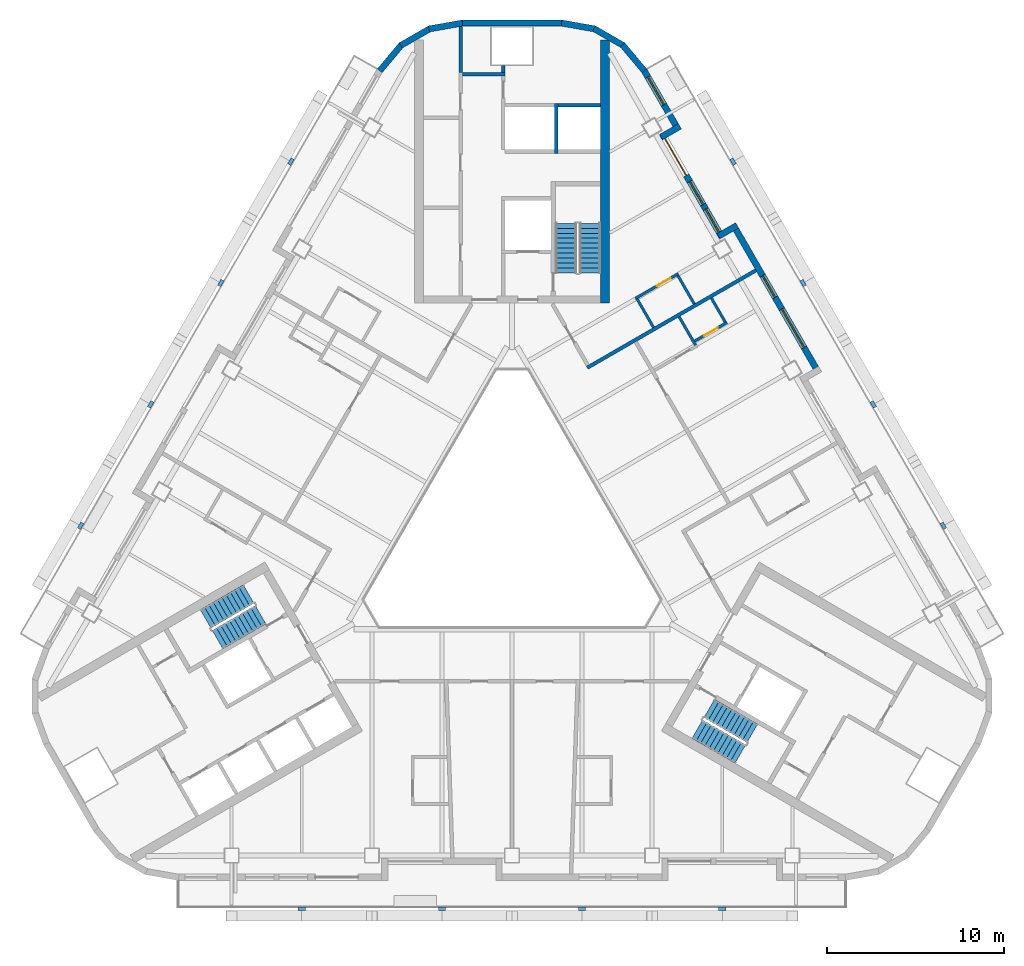
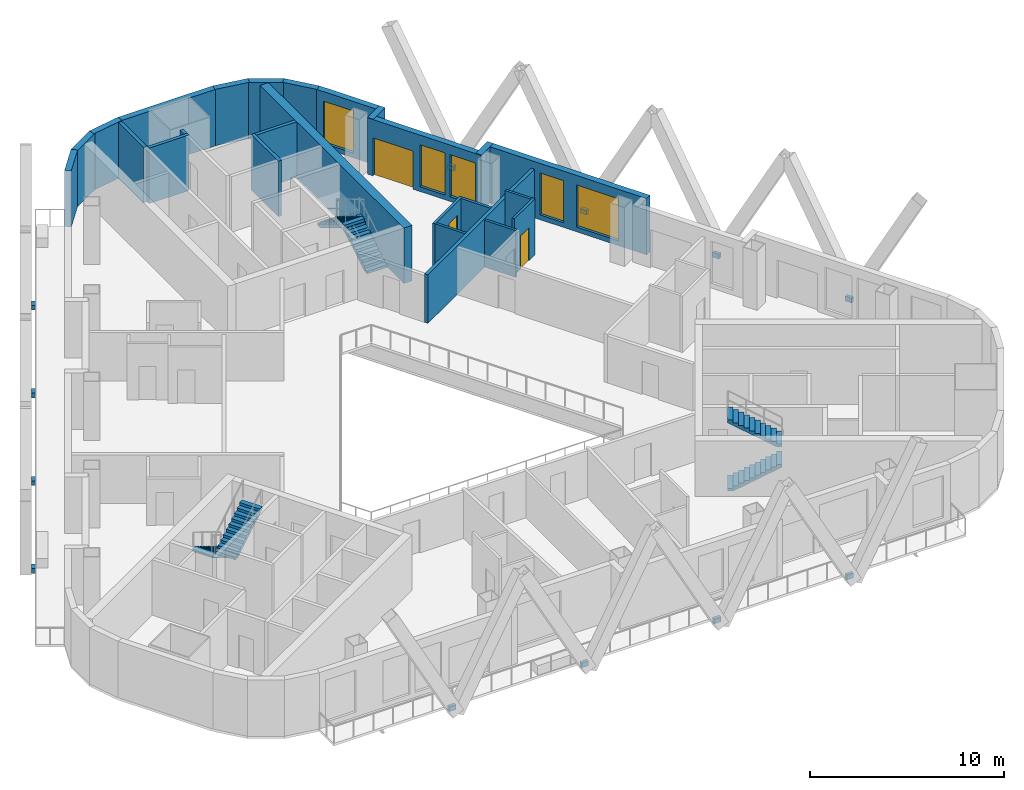
# One storey, part 7 of 13: 25 walls, 12 discrete accessories, 6 stair flights, 5 windows, 3 doors, 8 openings, 3 elements without a shape of their own.
"""IFC4 building model written with IfcOpenShell, lengths in metres."""

from ifc_helpers import new_model, si_unit, direction, frame, frame_2d, origin, origin_2d, place, context, subcontext, project, spatial, polyline, rectangle, outline, extrude, material, layer, layer_set, type_object, element, fill, aggregate, save


model = new_model("IFC4")

# Units and contexts
model_context = context("Model", 3, precision=1e-05, world=origin(), true_north=direction((0.0, 1.0)))
body_context = subcontext(model_context, "Body", "Model", "MODEL_VIEW")
ifc_project = project(units=[si_unit("LENGTHUNIT", "METRE"), si_unit("AREAUNIT", "SQUARE_METRE"), si_unit("VOLUMEUNIT", "CUBIC_METRE"), si_unit("PLANEANGLEUNIT", "RADIAN"), si_unit("MASSUNIT", "GRAM", prefix="KILO")], contexts=[model_context])

# Site, building, storey
site_placement = place(None, origin())
site = spatial("IfcSite", under=ifc_project, at=site_placement, CompositionType="ELEMENT")
building_placement = place(site_placement, origin())
building = spatial("IfcBuilding", under=site, at=building_placement, Name="Apuvela Tower Hotel", CompositionType="ELEMENT")
storey_placement = place(building_placement, frame((0.0, 0.0, 183.60009765625)))
storey = spatial("IfcBuildingStorey", under=building, at=storey_placement, Name="L44", CompositionType="ELEMENT", Elevation=183.60009765625)

# Walls
ifc_material_1 = material(Name="Concrete C50/60", Category="concrete")
ifc_layer_1 = layer(ifc_material_1, 0.5)
ifc_layer_set_1 = layer_set([ifc_layer_1], Name="COR-WALL-CORE-500")
wall_type_1 = type_object("IfcWallType", Name="COR-WALL-CORE-500", PredefinedType="SHEAR", material=ifc_layer_set_1)
wall_1_placement = place(storey_placement, frame((5.25, 12.89990234375, 0.0), z_axis=(0.0, 0.0, 1.0), x_axis=(0.0, 1.0, 0.0)))
element("IfcWall", 1, at=wall_1_placement, inside=storey, type_object=wall_type_1, Name="Core wall N", PredefinedType="SHEAR", context=body_context, shape_type="SweptSolid", body=[
    extrude(rectangle(XDim=14.8369140625, YDim=0.5, at=frame_2d((7.41845703125, 0.0))), origin(), (0.0, 0.0, 1.0), 3.5),
])
ifc_layer_2 = layer(ifc_material_1, 0.199951171875)
ifc_layer_set_2 = layer_set([ifc_layer_2], Name="COR-WALL-SHAFT-200")
wall_type_2 = type_object("IfcWallType", Name="COR-WALL-SHAFT-200", PredefinedType="SHEAR", material=ifc_layer_set_2)
wall_2_placement = place(storey_placement, frame((-0.39990234375, 25.800048828125, 0.0), z_axis=(0.0, 0.0, 1.0), x_axis=(-1.0, 0.0, 0.0)))
element("IfcWall", 2, at=wall_2_placement, inside=storey, type_object=wall_type_2, Name="Shaft wall N", PredefinedType="SHEAR", context=body_context, shape_type="SweptSolid", body=[
    extrude(rectangle(XDim=2.400146484375, YDim=0.199951171875, at=frame_2d((1.2001953125, 0.0))), origin(), (0.0, 0.0, 1.0), 3.5),
])
wall_3_placement = place(storey_placement, frame((-0.5, 25.89990234375, 0.0), z_axis=(0.0, 0.0, 1.0), x_axis=(0.0, 1.0, 0.0)))
element("IfcWall", 3, at=wall_3_placement, inside=storey, type_object=wall_type_2, Name="Shaft wall N", PredefinedType="SHEAR", context=body_context, shape_type="SweptSolid", body=[
    extrude(rectangle(XDim=0.400146484375, YDim=0.199951171875, at=frame_2d((0.2001953125, 0.0))), origin(), (0.0, 0.0, 1.0), 3.5),
])
wall_4_placement = place(storey_placement, frame((-2.89990234375, 25.89990234375, 0.0), z_axis=(0.0, 0.0, 1.0), x_axis=(0.0, 1.0, 0.0)))
element("IfcWall", 4, at=wall_4_placement, inside=storey, type_object=wall_type_2, Name="Shaft wall N", PredefinedType="SHEAR", context=body_context, shape_type="SweptSolid", body=[
    extrude(rectangle(XDim=2.60009765625, YDim=0.199951171875, at=frame_2d((1.300048828125, 0.0))), origin(), (0.0, 0.0, 1.0), 3.5),
])
wall_5_placement = place(storey_placement, frame((2.5, 21.35009765625, 0.0), z_axis=(0.0, 0.0, 1.0), x_axis=(0.0, 1.0, 0.0)))
element("IfcWall", 5, at=wall_5_placement, inside=storey, type_object=wall_type_2, Name="Shaft wall N", PredefinedType="SHEAR", context=body_context, shape_type="SweptSolid", body=[
    extrude(rectangle(XDim=2.7998046875, YDim=0.199951171875, at=frame_2d((1.39990234375, 0.0))), origin(), (0.0, 0.0, 1.0), 3.5),
])
wall_6_placement = place(storey_placement, frame((5.0, 24.050048828125, 0.0), z_axis=(0.0, 0.0, 1.0), x_axis=(-1.0, 0.0, 0.0)))
element("IfcWall", 6, at=wall_6_placement, inside=storey, type_object=wall_type_2, Name="Shaft wall N", PredefinedType="SHEAR", context=body_context, shape_type="SweptSolid", body=[
    extrude(rectangle(XDim=2.39990234375, YDim=0.199951171875, at=frame_2d((1.199951171875, 0.0))), origin(), (0.0, 0.0, 1.0), 3.5),
])

# Wall, openings, windows
ifc_material_2 = material(Name="Concrete C40/50, dark pigmented precast panel", Category="concrete")
ifc_layer_3 = layer(ifc_material_2, 0.35009765625)
ifc_layer_set_3 = layer_set([ifc_layer_3], Name="ENV-WALL-350")
wall_type_3 = type_object("IfcWallType", Name="ENV-WALL-350", PredefinedType="SOLIDWALL", material=ifc_layer_set_3)
wall_7_placement = place(storey_placement, frame((17.298583984375, 8.947998046875, 0.0), z_axis=(0.0, 0.0, 1.0), x_axis=(-0.500010041276, 0.866019606374, 0.0)))
wall_7 = element("IfcWall", 7, at=wall_7_placement, inside=storey, type_object=wall_type_3, Name="External wall L44-37", PredefinedType="SOLIDWALL", context=body_context, shape_type="SweptSolid", body=[
    extrude(rectangle(XDim=9.699951171875, YDim=0.35009765625, at=frame_2d((4.85009765625, 0.0))), origin(), (0.0, 0.0, 1.0), 3.5498046875),
])
opening_1_placement = place(wall_7_placement, frame((1.6748046875, 0.0, 0.300048828125)))
opening_1 = element("IfcOpeningElement", 8, at=opening_1_placement, cuts=wall_7, Name="Opening WN25", PredefinedType="OPENING", context=body_context, shape_type="SweptSolid", body=[
    extrude(rectangle(XDim=2.5, YDim=2.64990234375, at=frame_2d((1.25, 1.324951171875))), frame((0.0, 0.18505859375, 0.0), z_axis=(0.0, -1.0, 0.0), x_axis=(1.0, 0.0, 0.0)), (0.0, 0.0, 1.0), 0.3701171875),
])
opening_2_placement = place(wall_7_placement, frame((4.94921875, 0.0, 0.300048828125)))
opening_2 = element("IfcOpeningElement", 9, at=opening_2_placement, cuts=wall_7, Name="Opening WN14", PredefinedType="OPENING", context=body_context, shape_type="SweptSolid", body=[
    extrude(rectangle(XDim=1.39990234375, YDim=2.64990234375, at=frame_2d((0.699951171875, 1.324951171875))), frame((0.0, 0.18505859375, 0.0), z_axis=(0.0, -1.0, 0.0), x_axis=(1.0, 0.0, 0.0)), (0.0, 0.0, 1.0), 0.3701171875),
])
ifc_material_3 = material(Name="Glass, dark tinted laminated insulated glazing unit", Category="glass")
window_type_1 = type_object("IfcWindowType", Name="ENV-WIN-1400x2650", PartitioningType="SINGLE_PANEL", PredefinedType="WINDOW", material=ifc_material_3)
window_1_placement = place(opening_2_placement, origin())
window_1 = element("IfcWindow", 10, at=window_1_placement, inside=storey, type_object=window_type_1, Name="Window WN14", OverallHeight=2.64990234375, OverallWidth=1.39990234375, PartitioningType="SINGLE_PANEL", PredefinedType="WINDOW", context=body_context, shape_type="SweptSolid", body=[
    extrude(rectangle(XDim=1.39990234375, YDim=2.64990234375, at=frame_2d((0.699951171875, 1.324951171875))), frame((0.0, 0.030029296875, 0.0), z_axis=(0.0, -1.0, 0.0), x_axis=(1.0, 0.0, 0.0)), (0.0, 0.0, 1.0), 0.06005859375),
])
fill(opening_2, window_1)
window_type_2 = type_object("IfcWindowType", Name="ENV-WIN-2500x2650", PartitioningType="SINGLE_PANEL", PredefinedType="WINDOW", material=ifc_material_3)
window_2_placement = place(opening_1_placement, origin())
window_2 = element("IfcWindow", 11, at=window_2_placement, inside=storey, type_object=window_type_2, Name="Window WN25", OverallHeight=2.64990234375, OverallWidth=2.5, PartitioningType="SINGLE_PANEL", PredefinedType="WINDOW", context=body_context, shape_type="SweptSolid", body=[
    extrude(rectangle(XDim=2.5, YDim=2.64990234375, at=frame_2d((1.25, 1.324951171875))), frame((0.0, 0.030029296875, 0.0), z_axis=(0.0, -1.0, 0.0), x_axis=(1.0, 0.0, 0.0)), (0.0, 0.0, 1.0), 0.06005859375),
])
fill(opening_1, window_2)

# Wall
wall_8_placement = place(storey_placement, frame((12.6875, 17.284423828125, 0.0), z_axis=(0.0, 0.0, 1.0), x_axis=(-0.865955602162, -0.500120880472, 0.0)))
element("IfcWall", 12, at=wall_8_placement, inside=storey, type_object=wall_type_3, Name="External wall L44-38", PredefinedType="SOLIDWALL", context=body_context, shape_type="SweptSolid", body=[
    extrude(rectangle(XDim=1.219970703125, YDim=0.35009765625, at=frame_2d((0.60986328125, 0.0))), origin(), (0.0, 0.0, 1.0), 3.5498046875),
])

# Wall, openings, door, windows
wall_9_placement = place(storey_placement, frame((11.8291015625, 16.621337890625, 0.0), z_axis=(0.0, 0.0, 1.0), x_axis=(-0.500003597184, 0.866023326939, 0.0)))
wall_9 = element("IfcWall", 13, at=wall_9_placement, inside=storey, type_object=wall_type_3, Name="External wall L44-39", PredefinedType="SOLIDWALL", context=body_context, shape_type="SweptSolid", body=[
    extrude(rectangle(XDim=6.740234375, YDim=0.35009765625, at=frame_2d((3.3701171875, 0.0))), origin(), (0.0, 0.0, 1.0), 3.5498046875),
])
opening_3_placement = place(wall_9_placement, frame((4.01953125, 0.0, 0.0)))
opening_3 = element("IfcOpeningElement", 14, at=opening_3_placement, cuts=wall_9, Name="Opening BD24", PredefinedType="OPENING", context=body_context, shape_type="SweptSolid", body=[
    extrude(rectangle(XDim=2.39990234375, YDim=2.39990234375, at=frame_2d((1.199951171875, 1.199951171875))), frame((0.0, 0.18505859375, 0.0), z_axis=(0.0, -1.0, 0.0), x_axis=(1.0, 0.0, 0.0)), (0.0, 0.0, 1.0), 0.3701171875),
])
opening_4_placement = place(wall_9_placement, frame((0.320068359375, 0.0, 0.300048828125)))
opening_4 = element("IfcOpeningElement", 15, at=opening_4_placement, cuts=wall_9, Name="Opening WN15", PredefinedType="OPENING", context=body_context, shape_type="SweptSolid", body=[
    extrude(rectangle(XDim=1.5, YDim=2.64990234375, at=frame_2d((0.75, 1.324951171875))), frame((0.0, 0.18505859375, 0.0), z_axis=(0.0, -1.0, 0.0), x_axis=(1.0, 0.0, 0.0)), (0.0, 0.0, 1.0), 0.3701171875),
])
opening_5_placement = place(wall_9_placement, frame((2.1201171875, 0.0, 0.300048828125)))
opening_5 = element("IfcOpeningElement", 16, at=opening_5_placement, cuts=wall_9, Name="Opening WN15", PredefinedType="OPENING", context=body_context, shape_type="SweptSolid", body=[
    extrude(rectangle(XDim=1.5, YDim=2.64990234375, at=frame_2d((0.75, 1.324951171875))), frame((0.0, 0.18505859375, 0.0), z_axis=(0.0, -1.0, 0.0), x_axis=(1.0, 0.0, 0.0)), (0.0, 0.0, 1.0), 0.3701171875),
])
ifc_material_4 = material(Name="Aluminium 6063-T6, dark bronze anodised frame with dark tinted laminated glass", Category="aluminium")
door_type_1 = type_object("IfcDoorType", Name="ENV-DOOR-BALCONY-2400x2400", OperationType="SLIDING_TO_LEFT", PredefinedType="DOOR", material=ifc_material_4)
door_1_placement = place(opening_3_placement, frame((2.39990234375, 0.0, 0.0), z_axis=(0.0, 0.0, 1.0), x_axis=(-1.0, 0.0, 0.0)))
door_1 = element("IfcDoor", 17, at=door_1_placement, inside=storey, type_object=door_type_1, Name="Balcony door BD24", OperationType="SLIDING_TO_LEFT", OverallHeight=2.39990234375, OverallWidth=2.39990234375, PredefinedType="DOOR", context=body_context, shape_type="SweptSolid", body=[
    extrude(rectangle(XDim=2.39990234375, YDim=2.39990234375, at=frame_2d((1.199951171875, 1.199951171875))), frame((0.0, 0.02490234375, 0.0), z_axis=(0.0, -1.0, 0.0), x_axis=(1.0, 0.0, 0.0)), (0.0, 0.0, 1.0), 0.050048828125),
])
fill(opening_3, door_1)
window_type_3 = type_object("IfcWindowType", Name="ENV-WIN-1500x2650", PartitioningType="SINGLE_PANEL", PredefinedType="WINDOW", material=ifc_material_3)
window_3_placement = place(opening_4_placement, origin())
window_3 = element("IfcWindow", 18, at=window_3_placement, inside=storey, type_object=window_type_3, Name="Window WN15", OverallHeight=2.64990234375, OverallWidth=1.5, PartitioningType="SINGLE_PANEL", PredefinedType="WINDOW", context=body_context, shape_type="SweptSolid", body=[
    extrude(rectangle(XDim=1.5, YDim=2.64990234375, at=frame_2d((0.75, 1.324951171875))), frame((0.0, 0.030029296875, 0.0), z_axis=(0.0, -1.0, 0.0), x_axis=(1.0, 0.0, 0.0)), (0.0, 0.0, 1.0), 0.06005859375),
])
fill(opening_4, window_3)
window_4_placement = place(opening_5_placement, origin())
window_4 = element("IfcWindow", 19, at=window_4_placement, inside=storey, type_object=window_type_3, Name="Window WN15", OverallHeight=2.64990234375, OverallWidth=1.5, PartitioningType="SINGLE_PANEL", PredefinedType="WINDOW", context=body_context, shape_type="SweptSolid", body=[
    extrude(rectangle(XDim=1.5, YDim=2.64990234375, at=frame_2d((0.75, 1.324951171875))), frame((0.0, 0.030029296875, 0.0), z_axis=(0.0, -1.0, 0.0), x_axis=(1.0, 0.0, 0.0)), (0.0, 0.0, 1.0), 0.06005859375),
])
fill(opening_5, window_4)

# Wall
wall_10_placement = place(storey_placement, frame((8.406005859375, 22.26025390625, 0.0), z_axis=(0.0, 0.0, 1.0), x_axis=(0.865955602162, 0.500120880472, 0.0)))
element("IfcWall", 20, at=wall_10_placement, inside=storey, type_object=wall_type_3, Name="External wall L44-40", PredefinedType="SOLIDWALL", context=body_context, shape_type="SweptSolid", body=[
    extrude(rectangle(XDim=1.219970703125, YDim=0.35009765625, at=frame_2d((0.60986328125, 0.0))), origin(), (0.0, 0.0, 1.0), 3.5498046875),
])

# Wall, opening, window
wall_11_placement = place(storey_placement, frame((9.3984375, 22.631103515625, 0.0), z_axis=(0.0, 0.0, 1.0), x_axis=(-0.499954521343, 0.866051659307, 0.0)))
wall_11 = element("IfcWall", 21, at=wall_11_placement, inside=storey, type_object=wall_type_3, Name="External wall L44-41", PredefinedType="SOLIDWALL", context=body_context, shape_type="SweptSolid", body=[
    extrude(rectangle(XDim=3.915771484375, YDim=0.35009765625, at=frame_2d((1.9580078125, 0.0))), origin(), (0.0, 0.0, 1.0), 3.5498046875),
])
opening_6_placement = place(wall_11_placement, frame((1.67529296875, 0.0, 0.300048828125)))
opening_6 = element("IfcOpeningElement", 22, at=opening_6_placement, cuts=wall_11, Name="Opening WN18", PredefinedType="OPENING", context=body_context, shape_type="SweptSolid", body=[
    extrude(rectangle(XDim=1.800048828125, YDim=2.64990234375, at=frame_2d((0.89990234375, 1.324951171875))), frame((0.0, 0.18505859375, 0.0), z_axis=(0.0, -1.0, 0.0), x_axis=(1.0, 0.0, 0.0)), (0.0, 0.0, 1.0), 0.3701171875),
])
window_type_4 = type_object("IfcWindowType", Name="ENV-WIN-1800x2650", PartitioningType="SINGLE_PANEL", PredefinedType="WINDOW", material=ifc_material_3)
window_5_placement = place(opening_6_placement, origin())
window_5 = element("IfcWindow", 23, at=window_5_placement, inside=storey, type_object=window_type_4, Name="Window WN18", OverallHeight=2.64990234375, OverallWidth=1.800048828125, PartitioningType="SINGLE_PANEL", PredefinedType="WINDOW", context=body_context, shape_type="SweptSolid", body=[
    extrude(rectangle(XDim=1.800048828125, YDim=2.64990234375, at=frame_2d((0.89990234375, 1.324951171875))), frame((0.0, 0.030029296875, 0.0), z_axis=(0.0, -1.0, 0.0), x_axis=(1.0, 0.0, 0.0)), (0.0, 0.0, 1.0), 0.06005859375),
])
fill(opening_6, window_5)

# Walls
wall_12_placement = place(storey_placement, frame((7.4580078125, 25.99755859375, 0.0), z_axis=(0.0, 0.0, 1.0), x_axis=(-0.642808304945, 0.766027077259, 0.0)))
element("IfcWall", 24, at=wall_12_placement, inside=storey, type_object=wall_type_3, Name="External wall L44-42", PredefinedType="SOLIDWALL", context=body_context, shape_type="SweptSolid", body=[
    extrude(rectangle(XDim=1.909912109375, YDim=0.35009765625, at=frame_2d((0.955078125, 0.0))), origin(), (0.0, 0.0, 1.0), 3.5498046875),
])
for number, where, z_axis, x_axis, name in (
    (25, (6.27685546875, 27.421630859375, 0.0), (0.0, 0.0, 1.0), (-0.866032345022, 0.499987977232, 0.0), "External wall L44-43"),
    (26, (4.6796875, 28.35595703125, 0.0), (0.0, 0.0, 1.0), (-0.984798995425, 0.173697837091, 0.0), "External wall L44-44"),
):
    element("IfcWall", number, at=place(storey_placement, frame(where, z_axis=z_axis, x_axis=x_axis)), inside=storey, type_object=wall_type_3, Name=name, PredefinedType="SOLIDWALL", context=body_context, shape_type="SweptSolid", body=[
        extrude(rectangle(XDim=1.91015625, YDim=0.35009765625, at=frame_2d((0.955078125, 0.0))), origin(), (0.0, 0.0, 1.0), 3.5498046875),
    ])
wall_13_placement = place(storey_placement, frame((2.8291015625, 28.68505859375, 0.0), z_axis=(0.0, 0.0, 1.0), x_axis=(-1.0, 0.0, 0.0)))
element("IfcWall", 27, at=wall_13_placement, inside=storey, type_object=wall_type_3, Name="External wall L44-45", PredefinedType="SOLIDWALL", context=body_context, shape_type="SweptSolid", body=[
    extrude(rectangle(XDim=5.658203125, YDim=0.35009765625, at=frame_2d((2.8291015625, 0.0))), origin(), (0.0, 0.0, 1.0), 3.5498046875),
])
for number, where, z_axis, x_axis, name in (
    (28, (-2.798583984375, 28.687744140625, 0.0), (0.0, 0.0, 1.0), (-0.984798995425, -0.173697837091, 0.0), "External wall L44-46"),
    (29, (-4.62255859375, 28.376708984375, 0.0), (0.0, 0.0, 1.0), (-0.866032345022, -0.499987977232, 0.0), "External wall L44-47"),
):
    element("IfcWall", number, at=place(storey_placement, frame(where, z_axis=z_axis, x_axis=x_axis)), inside=storey, type_object=wall_type_3, Name=name, PredefinedType="SOLIDWALL", context=body_context, shape_type="SweptSolid", body=[
        extrude(rectangle(XDim=1.91015625, YDim=0.35009765625, at=frame_2d((0.955078125, 0.0))), origin(), (0.0, 0.0, 1.0), 3.5498046875),
    ])
wall_14_placement = place(storey_placement, frame((-6.230224609375, 27.460693359375, 0.0), z_axis=(0.0, 0.0, 1.0), x_axis=(-0.642808304945, -0.766027077259, 0.0)))
element("IfcWall", 30, at=wall_14_placement, inside=storey, type_object=wall_type_3, Name="External wall L44-48", PredefinedType="SOLIDWALL", context=body_context, shape_type="SweptSolid", body=[
    extrude(rectangle(XDim=1.909912109375, YDim=0.35009765625, at=frame_2d((0.955078125, 0.0))), origin(), (0.0, 0.0, 1.0), 3.5498046875),
])
ifc_material_5 = material(Name="Gypsum board partition on twin steel stud", Category="steel")
ifc_layer_4 = layer(ifc_material_5, 0.199951171875)
ifc_layer_set_4 = layer_set([ifc_layer_4], Name="GST-PW1")
wall_type_4 = type_object("IfcWallType", Name="GST-PW1", PredefinedType="PARTITIONING", material=ifc_layer_set_4)
wall_15_placement = place(storey_placement, frame((13.7470703125, 14.74951171875, 0.0), z_axis=(0.0, 0.0, 1.0), x_axis=(-0.866027479907, -0.499996404033, 0.0)))
element("IfcWall", 31, at=wall_15_placement, inside=storey, type_object=wall_type_4, Name="L44 partition 04", PredefinedType="PARTITIONING", context=body_context, shape_type="SweptSolid", body=[
    extrude(rectangle(XDim=10.97998046875, YDim=0.199951171875, at=frame_2d((5.489990234375, 0.0))), origin(), (0.0, 0.0, 1.0), 3.059814453125),
])
ifc_material_6 = material(Name="Moisture-resistant gypsum board wet wall on steel stud", Category="steel")
ifc_layer_5 = layer(ifc_material_6, 0.14990234375)
ifc_layer_set_5 = layer_set([ifc_layer_5], Name="GST-PW3")
wall_type_5 = type_object("IfcWallType", Name="GST-PW3", PredefinedType="PARTITIONING", material=ifc_layer_set_5)
wall_16_placement = place(storey_placement, frame((10.34423828125, 10.533203125, 0.0), z_axis=(0.0, 0.0, 1.0), x_axis=(-0.499985172903, 0.866033964044, 0.0)))
element("IfcWall", 32, at=wall_16_placement, inside=storey, type_object=wall_type_5, Name="L44 partition 24", PredefinedType="PARTITIONING", context=body_context, shape_type="SweptSolid", body=[
    extrude(rectangle(XDim=1.85009765625, YDim=0.14990234375, at=frame_2d((0.925048828125, 0.0))), origin(), (0.0, 0.0, 1.0), 2.949951171875),
])

# Wall, opening, door
wall_17_placement = place(storey_placement, frame((10.296630859375, 10.765625, 0.0), z_axis=(0.0, 0.0, 1.0), x_axis=(0.866009402589, 0.500027713859, 0.0)))
wall_17 = element("IfcWall", 33, at=wall_17_placement, inside=storey, type_object=wall_type_5, Name="L44 partition 25", PredefinedType="PARTITIONING", context=body_context, shape_type="SweptSolid", body=[
    extrude(rectangle(XDim=2.10009765625, YDim=0.14990234375, at=frame_2d((1.050048828125, 0.0))), origin(), (0.0, 0.0, 1.0), 3.5498046875),
])
opening_7_placement = place(wall_17_placement, frame((0.599853515625, 0.0, 0.0)))
opening_7 = element("IfcOpeningElement", 34, at=opening_7_placement, cuts=wall_17, Name="Opening GD17-10", PredefinedType="OPENING", context=body_context, shape_type="SweptSolid", body=[
    extrude(rectangle(XDim=0.89990234375, YDim=2.10009765625, at=frame_2d((0.449951171875, 1.050048828125))), frame((0.0, 0.0849609375, 0.0), z_axis=(0.0, -1.0, 0.0), x_axis=(1.0, 0.0, 0.0)), (0.0, 0.0, 1.0), 0.169921875),
])
ifc_material_7 = material(Name="Timber door leaf in steel frame", Category="steel")
door_type_2 = type_object("IfcDoorType", Name="GST-D2", OperationType="NOTDEFINED", PredefinedType="DOOR", material=ifc_material_7)
door_2_placement = place(opening_7_placement, origin())
door_2 = element("IfcDoor", 35, at=door_2_placement, inside=storey, type_object=door_type_2, Name="Door L44-10", OperationType="SINGLE_SWING_RIGHT", OverallHeight=2.10009765625, OverallWidth=0.89990234375, PredefinedType="DOOR", context=body_context, shape_type="SweptSolid", body=[
    extrude(rectangle(XDim=0.89990234375, YDim=2.10009765625, at=frame_2d((0.449951171875, 1.050048828125))), frame((0.0, 0.02490234375, 0.0), z_axis=(0.0, -1.0, 0.0), x_axis=(1.0, 0.0, 0.0)), (0.0, 0.0, 1.0), 0.050048828125),
])
fill(opening_7, door_2)

# Wall
wall_18_placement = place(storey_placement, frame((12.012939453125, 11.843017578125, 0.0), z_axis=(0.0, 0.0, 1.0), x_axis=(-0.500086022567, 0.865975732936, 0.0)))
element("IfcWall", 36, at=wall_18_placement, inside=storey, type_object=wall_type_5, Name="L44 partition 26", PredefinedType="PARTITIONING", context=body_context, shape_type="SweptSolid", body=[
    extrude(rectangle(XDim=1.550048828125, YDim=0.14990234375, at=frame_2d((0.77490234375, 0.0))), origin(), (0.0, 0.0, 1.0), 3.5498046875),
])

# Wall, opening, door
wall_19_placement = place(storey_placement, frame((9.374267578125, 14.563232421875, 0.0), z_axis=(0.0, 0.0, 1.0), x_axis=(-0.866034573852, -0.49998411664, 0.0)))
wall_19 = element("IfcWall", 37, at=wall_19_placement, inside=storey, type_object=wall_type_5, Name="L44 partition 28", PredefinedType="PARTITIONING", context=body_context, shape_type="SweptSolid", body=[
    extrude(rectangle(XDim=2.7998046875, YDim=0.14990234375, at=frame_2d((1.39990234375, 0.0))), origin(), (0.0, 0.0, 1.0), 2.949951171875),
])
opening_8_placement = place(wall_19_placement, frame((0.5, 0.0, 0.0)))
opening_8 = element("IfcOpeningElement", 38, at=opening_8_placement, cuts=wall_19, Name="Opening GD17-12", PredefinedType="OPENING", context=body_context, shape_type="SweptSolid", body=[
    extrude(rectangle(XDim=0.89990234375, YDim=2.10009765625, at=frame_2d((0.449951171875, 1.050048828125))), frame((0.0, 0.0849609375, 0.0), z_axis=(0.0, -1.0, 0.0), x_axis=(1.0, 0.0, 0.0)), (0.0, 0.0, 1.0), 0.169921875),
])
door_3_placement = place(opening_8_placement, origin())
door_3 = element("IfcDoor", 39, at=door_3_placement, inside=storey, type_object=door_type_2, Name="Door L44-12", OperationType="SINGLE_SWING_LEFT", OverallHeight=2.10009765625, OverallWidth=0.89990234375, PredefinedType="DOOR", context=body_context, shape_type="SweptSolid", body=[
    extrude(rectangle(XDim=0.89990234375, YDim=2.10009765625, at=frame_2d((0.449951171875, 1.050048828125))), frame((0.0, 0.02490234375, 0.0), z_axis=(0.0, -1.0, 0.0), x_axis=(1.0, 0.0, 0.0)), (0.0, 0.0, 1.0), 0.050048828125),
])
fill(opening_8, door_3)

# Walls
for number, where, z_axis, x_axis, name in (
    (40, (10.271728515625, 12.858642578125, 0.0), (0.0, 0.0, 1.0), (-0.500042316284, 0.866000971088, 0.0), "L44 partition 29"),
    (41, (7.976806640625, 11.53369140625, 0.0), (0.0, 0.0, 1.0), (-0.49994333299, 0.866058118026, 0.0), "L44 partition 30"),
):
    element("IfcWall", number, at=place(storey_placement, frame(where, z_axis=z_axis, x_axis=x_axis)), inside=storey, type_object=wall_type_5, Name=name, PredefinedType="PARTITIONING", context=body_context, shape_type="SweptSolid", body=[
        extrude(rectangle(XDim=1.849853515625, YDim=0.14990234375, at=frame_2d((0.9248046875, 0.0))), origin(), (0.0, 0.0, 1.0), 2.949951171875),
    ])

# Stair, stair flights
stair_type = type_object("IfcStairType", Name="COR-STAIR-22R", PredefinedType="HALF_TURN_STAIR", material=ifc_material_1)
stair_1_placement = place(storey_placement, origin())
stair_1 = element("IfcStair", 42, at=stair_1_placement, inside=storey, type_object=stair_type, Name="L44 Exit stair ST1", PredefinedType="HALF_TURN_STAIR")
stair_flight_type = type_object("IfcStairFlightType", Name="COR-FLIGHT-11R", PredefinedType="STRAIGHT", material=ifc_material_1)
stair_flight_1_placement = place(storey_placement, frame((4.39990234375, 14.60009765625, 0.0), z_axis=(0.0, 0.0, 1.0), x_axis=(0.0, 1.0, 0.0)))
stair_flight_1 = element("IfcStairFlight", 43, at=stair_flight_1_placement, type_object=stair_flight_type, Name="ST1 flight 1", NumberOfRisers=11, NumberOfTreads=10, PredefinedType="STRAIGHT", RiserHeight=0.168181818, TreadLength=0.28, context=body_context, shape_type="SweptSolid", body=[
    extrude(outline(polyline([(0.0, 0.0), (0.0, 0.168212890625), (0.280029296875, 0.168212890625), (0.280029296875, 0.33642578125), (0.56005859375, 0.33642578125), (0.56005859375, 0.504638671875), (0.840087890625, 0.504638671875), (0.840087890625, 0.672607421875), (1.1201171875, 0.672607421875), (1.1201171875, 0.8408203125), (1.39990234375, 0.8408203125), (1.39990234375, 1.009033203125), (1.679931640625, 1.009033203125), (1.679931640625, 1.17724609375), (1.9599609375, 1.17724609375), (1.9599609375, 1.345458984375), (2.239990234375, 1.345458984375), (2.239990234375, 1.513671875), (2.52001953125, 1.513671875), (2.52001953125, 1.681884765625), (2.800048828125, 1.681884765625), (2.800048828125, 1.85009765625), (2.800048828125, 1.5068359375), (0.291015625, 0.0), (0.0, 0.0)])), frame((0.0, 0.60009765625, 0.0), z_axis=(0.0, -1.0, 0.0), x_axis=(1.0, 0.0, 0.0)), (0.0, 0.0, 1.0), 1.199951171875),
])
stair_flight_2_placement = place(storey_placement, frame((3.050048828125, 17.39990234375, 1.849853515625), z_axis=(0.0, 0.0, 1.0), x_axis=(0.0, -1.0, 0.0)))
stair_flight_2 = element("IfcStairFlight", 44, at=stair_flight_2_placement, type_object=stair_flight_type, Name="ST1 flight 2", NumberOfRisers=11, NumberOfTreads=10, PredefinedType="STRAIGHT", RiserHeight=0.168181818, TreadLength=0.28, context=body_context, shape_type="SweptSolid", body=[
    extrude(outline(polyline([(0.0, 0.0), (0.0, 0.168212890625), (0.280029296875, 0.168212890625), (0.280029296875, 0.33642578125), (0.56005859375, 0.33642578125), (0.56005859375, 0.504638671875), (0.840087890625, 0.504638671875), (0.840087890625, 0.672607421875), (1.1201171875, 0.672607421875), (1.1201171875, 0.8408203125), (1.39990234375, 0.8408203125), (1.39990234375, 1.009033203125), (1.679931640625, 1.009033203125), (1.679931640625, 1.17724609375), (1.9599609375, 1.17724609375), (1.9599609375, 1.345458984375), (2.239990234375, 1.345458984375), (2.239990234375, 1.513671875), (2.52001953125, 1.513671875), (2.52001953125, 1.681884765625), (2.800048828125, 1.681884765625), (2.800048828125, 1.85009765625), (2.800048828125, 1.5068359375), (0.291015625, 0.0), (0.0, 0.0)])), frame((0.0, 0.60009765625, 0.0), z_axis=(0.0, -1.0, 0.0), x_axis=(1.0, 0.0, 0.0)), (0.0, 0.0, 1.0), 1.199951171875),
])
aggregate(stair_1, [stair_flight_1, stair_flight_2])

stair_2_placement = place(storey_placement, origin())
stair_2 = element("IfcStair", 45, at=stair_2_placement, inside=storey, type_object=stair_type, Name="L44 Exit stair ST2", PredefinedType="HALF_TURN_STAIR")
stair_flight_3_placement = place(storey_placement, frame((-14.843994140625, -3.489501953125, 0.0), z_axis=(0.0, 0.0, 1.0), x_axis=(-0.866025403784, -0.5, 0.0)))
stair_flight_3 = element("IfcStairFlight", 46, at=stair_flight_3_placement, type_object=stair_flight_type, Name="ST2 flight 1", NumberOfRisers=11, NumberOfTreads=10, PredefinedType="STRAIGHT", RiserHeight=0.168181818, TreadLength=0.28, context=body_context, shape_type="SweptSolid", body=[
    extrude(outline(polyline([(0.0, 0.0), (0.0, 0.168212890625), (0.280029296875, 0.168212890625), (0.280029296875, 0.33642578125), (0.56005859375, 0.33642578125), (0.56005859375, 0.504638671875), (0.840087890625, 0.504638671875), (0.840087890625, 0.672607421875), (1.1201171875, 0.672607421875), (1.1201171875, 0.8408203125), (1.39990234375, 0.8408203125), (1.39990234375, 1.009033203125), (1.679931640625, 1.009033203125), (1.679931640625, 1.17724609375), (1.9599609375, 1.17724609375), (1.9599609375, 1.345458984375), (2.239990234375, 1.345458984375), (2.239990234375, 1.513671875), (2.52001953125, 1.513671875), (2.52001953125, 1.681884765625), (2.800048828125, 1.681884765625), (2.800048828125, 1.85009765625), (2.800048828125, 1.5068359375), (0.291015625, 0.0), (0.0, 0.0)])), frame((0.0, 0.60009765625, 0.0), z_axis=(0.0, -1.0, 0.0), x_axis=(1.0, 0.0, 0.0)), (0.0, 0.0, 1.0), 1.199951171875),
])
stair_flight_4_placement = place(storey_placement, frame((-16.59375, -6.05859375, 1.849853515625), z_axis=(0.0, 0.0, 1.0), x_axis=(0.866025403784, 0.5, 0.0)))
stair_flight_4 = element("IfcStairFlight", 47, at=stair_flight_4_placement, type_object=stair_flight_type, Name="ST2 flight 2", NumberOfRisers=11, NumberOfTreads=10, PredefinedType="STRAIGHT", RiserHeight=0.168181818, TreadLength=0.28, context=body_context, shape_type="SweptSolid", body=[
    extrude(outline(polyline([(0.0, 0.0), (0.0, 0.168212890625), (0.280029296875, 0.168212890625), (0.280029296875, 0.33642578125), (0.56005859375, 0.33642578125), (0.56005859375, 0.504638671875), (0.840087890625, 0.504638671875), (0.840087890625, 0.672607421875), (1.1201171875, 0.672607421875), (1.1201171875, 0.8408203125), (1.39990234375, 0.8408203125), (1.39990234375, 1.009033203125), (1.679931640625, 1.009033203125), (1.679931640625, 1.17724609375), (1.9599609375, 1.17724609375), (1.9599609375, 1.345458984375), (2.239990234375, 1.345458984375), (2.239990234375, 1.513671875), (2.52001953125, 1.513671875), (2.52001953125, 1.681884765625), (2.800048828125, 1.681884765625), (2.800048828125, 1.85009765625), (2.800048828125, 1.5068359375), (0.291015625, 0.0), (0.0, 0.0)])), frame((0.0, 0.60009765625, 0.0), z_axis=(0.0, -1.0, 0.0), x_axis=(1.0, 0.0, 0.0)), (0.0, 0.0, 1.0), 1.199951171875),
])
aggregate(stair_2, [stair_flight_3, stair_flight_4])

stair_3_placement = place(storey_placement, origin())
stair_3 = element("IfcStair", 48, at=stair_3_placement, inside=storey, type_object=stair_type, Name="L44 Exit stair ST3", PredefinedType="HALF_TURN_STAIR")
stair_flight_5_placement = place(storey_placement, frame((10.444091796875, -11.110595703125, 0.0), z_axis=(0.0, 0.0, 1.0), x_axis=(0.866025403784, -0.5, 0.0)))
stair_flight_5 = element("IfcStairFlight", 49, at=stair_flight_5_placement, type_object=stair_flight_type, Name="ST3 flight 1", NumberOfRisers=11, NumberOfTreads=10, PredefinedType="STRAIGHT", RiserHeight=0.168181818, TreadLength=0.28, context=body_context, shape_type="SweptSolid", body=[
    extrude(outline(polyline([(0.0, 0.0), (0.0, 0.168212890625), (0.280029296875, 0.168212890625), (0.280029296875, 0.33642578125), (0.56005859375, 0.33642578125), (0.56005859375, 0.504638671875), (0.840087890625, 0.504638671875), (0.840087890625, 0.672607421875), (1.1201171875, 0.672607421875), (1.1201171875, 0.8408203125), (1.39990234375, 0.8408203125), (1.39990234375, 1.009033203125), (1.679931640625, 1.009033203125), (1.679931640625, 1.17724609375), (1.9599609375, 1.17724609375), (1.9599609375, 1.345458984375), (2.239990234375, 1.345458984375), (2.239990234375, 1.513671875), (2.52001953125, 1.513671875), (2.52001953125, 1.681884765625), (2.800048828125, 1.681884765625), (2.800048828125, 1.85009765625), (2.800048828125, 1.5068359375), (0.291015625, 0.0), (0.0, 0.0)])), frame((0.0, 0.60009765625, 0.0), z_axis=(0.0, -1.0, 0.0), x_axis=(1.0, 0.0, 0.0)), (0.0, 0.0, 1.0), 1.199951171875),
])
stair_flight_6_placement = place(storey_placement, frame((13.5439453125, -11.34130859375, 1.849853515625), z_axis=(0.0, 0.0, 1.0), x_axis=(-0.866025403784, 0.5, 0.0)))
stair_flight_6 = element("IfcStairFlight", 50, at=stair_flight_6_placement, type_object=stair_flight_type, Name="ST3 flight 2", NumberOfRisers=11, NumberOfTreads=10, PredefinedType="STRAIGHT", RiserHeight=0.168181818, TreadLength=0.28, context=body_context, shape_type="SweptSolid", body=[
    extrude(outline(polyline([(0.0, 0.0), (0.0, 0.168212890625), (0.280029296875, 0.168212890625), (0.280029296875, 0.33642578125), (0.56005859375, 0.33642578125), (0.56005859375, 0.504638671875), (0.840087890625, 0.504638671875), (0.840087890625, 0.672607421875), (1.1201171875, 0.672607421875), (1.1201171875, 0.8408203125), (1.39990234375, 0.8408203125), (1.39990234375, 1.009033203125), (1.679931640625, 1.009033203125), (1.679931640625, 1.17724609375), (1.9599609375, 1.17724609375), (1.9599609375, 1.345458984375), (2.239990234375, 1.345458984375), (2.239990234375, 1.513671875), (2.52001953125, 1.513671875), (2.52001953125, 1.681884765625), (2.800048828125, 1.681884765625), (2.800048828125, 1.85009765625), (2.800048828125, 1.5068359375), (0.291015625, 0.0), (0.0, 0.0)])), frame((0.0, 0.60009765625, 0.0), z_axis=(0.0, -1.0, 0.0), x_axis=(1.0, 0.0, 0.0)), (0.0, 0.0, 1.0), 1.199951171875),
])
aggregate(stair_3, [stair_flight_5, stair_flight_6])

# Discrete accessories
ifc_material_8 = material(Name="Steel S355, black paint system", Category="steel")
discrete_accessory_type = type_object("IfcDiscreteAccessoryType", Name="ENV-FIN-BRACKET", PredefinedType="BRACKET", material=ifc_material_8)
for number, where, z_axis, x_axis, name in (
    (51, (24.310791015625, 0.3525390625, -0.25), (0.0, 0.0, 1.0), (-0.5, 0.866025403784, 0.0), "Fin bracket NE83"),
    (52, (20.360595703125, 7.194091796875, -0.25), (0.0, 0.0, 1.0), (-0.5, 0.866025403784, 0.0), "Fin bracket NE84"),
    (53, (16.41064453125, 14.035888671875, -0.25), (0.0, 0.0, 1.0), (-0.5, 0.866025403784, 0.0), "Fin bracket NE85"),
    (54, (12.460693359375, 20.87744140625, -0.25), (0.0, 0.0, 1.0), (-0.5, 0.866025403784, 0.0), "Fin bracket NE86"),
    (55, (-12.460693359375, 20.87744140625, -0.25), (0.0, 0.0, 1.0), (-0.5, -0.866025403784, 0.0), "Fin bracket NW232"),
    (56, (-16.41064453125, 14.035888671875, -0.25), (0.0, 0.0, 1.0), (-0.5, -0.866025403784, 0.0), "Fin bracket NW233"),
    (57, (-20.360595703125, 7.194091796875, -0.25), (0.0, 0.0, 1.0), (-0.5, -0.866025403784, 0.0), "Fin bracket NW234"),
    (58, (-24.310791015625, 0.3525390625, -0.25), (0.0, 0.0, 1.0), (-0.5, -0.866025403784, 0.0), "Fin bracket NW235"),
    (59, (-11.85009765625, -21.22998046875, -0.25), (0.0, 0.0, 1.0), (1.0, 0.0, 0.0), "Fin bracket S382"),
    (60, (-3.949951171875, -21.22998046875, -0.25), (0.0, 0.0, 1.0), (1.0, 0.0, 0.0), "Fin bracket S383"),
    (61, (3.949951171875, -21.22998046875, -0.25), (0.0, 0.0, 1.0), (1.0, 0.0, 0.0), "Fin bracket S384"),
    (62, (11.85009765625, -21.22998046875, -0.25), (0.0, 0.0, 1.0), (1.0, 0.0, 0.0), "Fin bracket S385"),
):
    element("IfcDiscreteAccessory", number, at=place(storey_placement, frame(where, z_axis=z_axis, x_axis=x_axis)), inside=storey, type_object=discrete_accessory_type, Name=name, PredefinedType="BRACKET", context=body_context, shape_type="SweptSolid", body=[
        extrude(rectangle(XDim=0.39990234375, YDim=0.199951171875, at=origin_2d()), origin(), (0.0, 0.0, 1.0), 0.300048828125),
    ])

save(model, "model.ifc")
